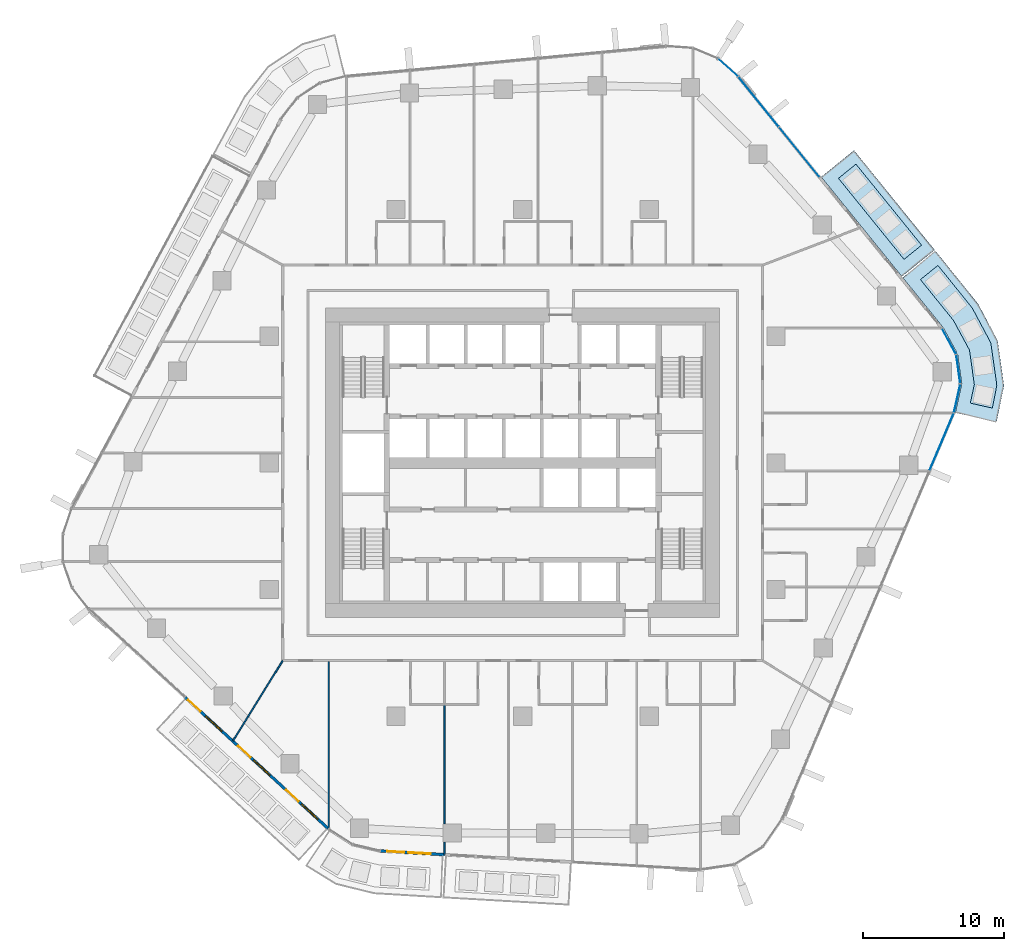
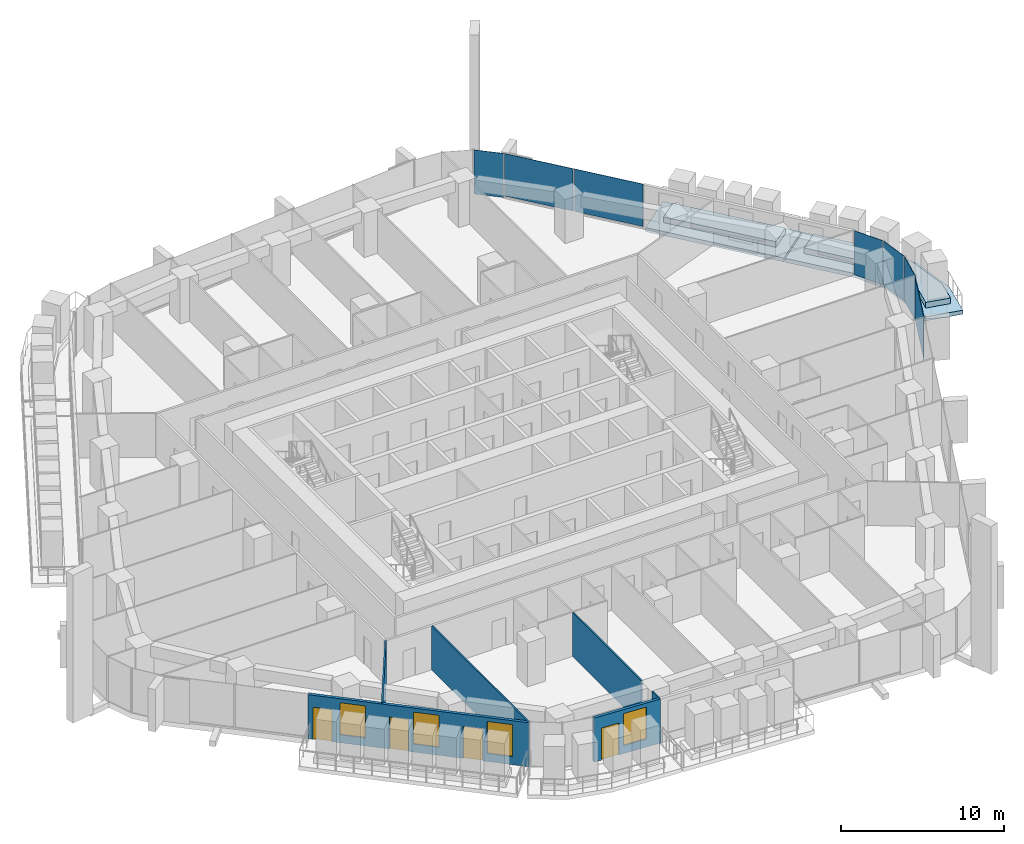
# One storey, part 11 of 24: 7 plates, 6 walls, 4 doors, 4 slabs, 4 windows, 8 openings, 4 elements without a shape of their own.
"""IFC4 building model written with IfcOpenShell, lengths in metres."""

from ifc_helpers import new_model, si_unit, direction, frame, frame_2d, origin, origin_2d, place, context, subcontext, project, spatial, polyline, rectangle, outline, extrude, material, layer, layer_set, type_object, element, fill, aggregate, save


model = new_model("IFC4")

# Units and contexts
model_context = context("Model", 3, precision=1e-05, world=origin(), true_north=direction((0.0, 1.0)))
body_context = subcontext(model_context, "Body", "Model", "MODEL_VIEW")
ifc_project = project(units=[si_unit("LENGTHUNIT", "METRE"), si_unit("AREAUNIT", "SQUARE_METRE"), si_unit("VOLUMEUNIT", "CUBIC_METRE"), si_unit("PLANEANGLEUNIT", "RADIAN"), si_unit("MASSUNIT", "GRAM", prefix="KILO")], contexts=[model_context])

# Site, building, storey
site_placement = place(None, origin())
site = spatial("IfcSite", under=ifc_project, at=site_placement, CompositionType="ELEMENT")
building_placement = place(site_placement, origin())
building = spatial("IfcBuilding", under=site, at=building_placement, Name="Dongbaek Canopy Tower", CompositionType="ELEMENT")
storey_placement = place(building_placement, frame((0.0, 0.0, 117.39990234375)))
storey = spatial("IfcBuildingStorey", under=building, at=storey_placement, Name="L25", CompositionType="ELEMENT", Elevation=117.39990234375)

# Slabs
ifc_material_1 = material(Name="Concrete C40/50", Category="concrete")
ifc_layer_1 = layer(ifc_material_1, 0.300048828125)
ifc_layer_set_1 = layer_set([ifc_layer_1], Name="Balcony slab 300")
slab_type_1 = type_object("IfcSlabType", Name="Balcony slab 300", PredefinedType="FLOOR", material=ifc_layer_set_1)
slab_1_placement = place(storey_placement, frame((0.0, 0.0, -0.2998046875)))
element("IfcSlab", 1, at=slab_1_placement, inside=storey, type_object=slab_type_1, Name="Balcony L25 1", PredefinedType="FLOOR", context=body_context, shape_type="SweptSolid", body=[
    extrude(outline(polyline([(26.938720703125, 13.24365234375), (21.208740234375, 20.31982421875), (23.540283203125, 22.207763671875), (29.27001953125, 15.131591796875), (26.938720703125, 13.24365234375)])), origin(), (0.0, 0.0, 1.0), 0.2998046875),
])
slab_2_placement = place(storey_placement, frame((0.0, 0.0, -0.2998046875)))
element("IfcSlab", 2, at=slab_2_placement, inside=storey, type_object=slab_type_1, Name="Balcony L25 5", PredefinedType="FLOOR", context=body_context, shape_type="SweptSolid", body=[
    extrude(outline(polyline([(30.740234375, 3.56298828125), (31.19873046875, 5.612548828125), (30.898193359375, 7.741455078125), (29.866455078125, 9.6279296875), (27.00146484375, 13.166015625), (29.3330078125, 15.053955078125), (32.3583984375, 11.29833984375), (33.74560546875, 8.686279296875), (34.1962890625, 5.49267578125), (33.667724609375, 2.907958984375), (30.740234375, 3.56298828125)])), origin(), (0.0, 0.0, 1.0), 0.2998046875),
])

# Curtain wall, plates
ifc_material_2 = material(Name="Aluminium 6063-T6 pale anodised", Category="aluminium")
ifc_layer_2 = layer(ifc_material_2, 0.199951171875)
ifc_layer_set_2 = layer_set([ifc_layer_2], Name="CW-1 unitised tower curtain wall")
curtain_wall_type = type_object("IfcCurtainWallType", Name="CW-1 unitised tower curtain wall", PredefinedType="NOTDEFINED", material=ifc_layer_set_2)
curtain_wall_1_placement = place(storey_placement, origin())
curtain_wall_1 = element("IfcCurtainWall", 3, at=curtain_wall_1_placement, inside=storey, type_object=curtain_wall_type, Name="CW-1 curtain wall K0.1", PredefinedType="NOTDEFINED")
ifc_material_3 = material(Name="Clear laminated glass", Category="glass")
ifc_layer_3 = layer(ifc_material_3, 0.028076171875)
ifc_layer_set_3 = layer_set([ifc_layer_3], Name="CW-1 glazed panel 28")
plate_type = type_object("IfcPlateType", Name="CW-1 glazed panel 28", PredefinedType="CURTAIN_PANEL", material=ifc_layer_set_3)
plate_1_placement = place(storey_placement, frame((30.865478515625, 4.58056640625, 0.0), z_axis=(0.0, 0.0, 1.0), x_axis=(0.218338762206, 0.975873037295, 0.0)))
plate_1 = element("IfcPlate", 4, at=plate_1_placement, type_object=plate_type, Name="CW-1 panel K0.1.1.1", PredefinedType="CURTAIN_PANEL", context=body_context, shape_type="SweptSolid", body=[
    extrude(rectangle(XDim=2.038818359375, YDim=0.028076171875, at=origin_2d()), origin(), (0.0, 0.0, 1.0), 3.300048828125),
])
plate_2_placement = place(storey_placement, frame((30.949462890625, 6.6630859375, 0.0), z_axis=(0.0, 0.0, 1.0), x_axis=(-0.139735909712, 0.990188808024, 0.0)))
plate_2 = element("IfcPlate", 5, at=plate_2_placement, type_object=plate_type, Name="CW-1 panel K0.1.2.1", PredefinedType="CURTAIN_PANEL", context=body_context, shape_type="SweptSolid", body=[
    extrude(rectangle(XDim=2.02978515625, YDim=0.028076171875, at=origin_2d()), origin(), (0.0, 0.0, 1.0), 3.300048828125),
])
plate_3_placement = place(storey_placement, frame((30.29248046875, 8.640869140625, 0.0), z_axis=(0.0, 0.0, 1.0), x_axis=(-0.479865359052, 0.87734214374, 0.0)))
plate_3 = element("IfcPlate", 6, at=plate_3_placement, type_object=plate_type, Name="CW-1 panel K0.1.3.1", PredefinedType="CURTAIN_PANEL", context=body_context, shape_type="SweptSolid", body=[
    extrude(rectangle(XDim=2.038818359375, YDim=0.028076171875, at=origin_2d()), origin(), (0.0, 0.0, 1.0), 3.300048828125),
])
aggregate(curtain_wall_1, [plate_1, plate_2, plate_3])

curtain_wall_2_placement = place(storey_placement, origin())
curtain_wall_2 = element("IfcCurtainWall", 7, at=curtain_wall_2_placement, inside=storey, type_object=curtain_wall_type, Name="CW-1 curtain wall F0.1", PredefinedType="NOTDEFINED")
plate_4_placement = place(storey_placement, frame((19.6513671875, 22.084228515625, 0.1201171875), z_axis=(0.0, 0.0, 1.0), x_axis=(-0.629301818982, 0.777161000453, 0.0)))
plate_4 = element("IfcPlate", 8, at=plate_4_placement, type_object=plate_type, Name="CW-1 panel F0.1.1.1", PredefinedType="CURTAIN_PANEL", context=body_context, shape_type="SweptSolid", body=[
    extrude(rectangle(XDim=4.5185546875, YDim=0.028076171875, at=origin_2d()), origin(), (0.0, 0.0, 1.0), 3.179931640625),
])
plate_5_placement = place(storey_placement, frame((16.757568359375, 25.657958984375, 0.1201171875), z_axis=(0.0, 0.0, 1.0), x_axis=(-0.629301818982, 0.777161000453, 0.0)))
plate_5 = element("IfcPlate", 9, at=plate_5_placement, type_object=plate_type, Name="CW-1 panel F0.1.2.1", PredefinedType="CURTAIN_PANEL", context=body_context, shape_type="SweptSolid", body=[
    extrude(rectangle(XDim=4.51025390625, YDim=0.028076171875, at=origin_2d()), origin(), (0.0, 0.0, 1.0), 3.179931640625),
])
aggregate(curtain_wall_2, [plate_4, plate_5])

# Curtain wall, plate
curtain_wall_3_placement = place(storey_placement, origin())
curtain_wall_3 = element("IfcCurtainWall", 10, at=curtain_wall_3_placement, inside=storey, type_object=curtain_wall_type, Name="CW-1 curtain wall K1.1", PredefinedType="NOTDEFINED")
plate_6_placement = place(storey_placement, frame((14.589111328125, 28.085205078125, 0.0), z_axis=(0.0, 0.0, 1.0), x_axis=(-0.747705892766, 0.664030042937, 0.0)))
plate_6 = element("IfcPlate", 11, at=plate_6_placement, type_object=plate_type, Name="CW-1 panel K1.1.1.1", PredefinedType="CURTAIN_PANEL", context=body_context, shape_type="SweptSolid", body=[
    extrude(rectangle(XDim=1.849853515625, YDim=0.028076171875, at=origin_2d()), origin(), (0.0, 0.0, 1.0), 3.300048828125),
])
aggregate(curtain_wall_3, [plate_6])

curtain_wall_4_placement = place(storey_placement, origin())
curtain_wall_4 = element("IfcCurtainWall", 12, at=curtain_wall_4_placement, inside=storey, type_object=curtain_wall_type, Name="CW-1 curtain wall F5.1", PredefinedType="NOTDEFINED")
plate_7_placement = place(storey_placement, frame((29.763671875, 1.488525390625, 0.1201171875), z_axis=(0.0, 0.0, 1.0), x_axis=(0.389662506836, 0.920957724744, 0.0)))
plate_7 = element("IfcPlate", 13, at=plate_7_placement, type_object=plate_type, Name="CW-1 panel F5.1.7.1", PredefinedType="CURTAIN_PANEL", context=body_context, shape_type="SweptSolid", body=[
    extrude(rectangle(XDim=4.381591796875, YDim=0.028076171875, at=origin_2d()), origin(), (0.0, 0.0, 1.0), 3.179931640625),
])
aggregate(curtain_wall_4, [plate_7])

# Slabs
ifc_material_4 = material(Name="Reinforced concrete C40/50 planter box with soil", Category="concrete")
ifc_layer_4 = layer(ifc_material_4, 0.419921875)
ifc_layer_set_4 = layer_set([ifc_layer_4], Name="Terrace planter box 1600 x 420")
slab_type_2 = type_object("IfcSlabType", Name="Terrace planter box 1600 x 420", PredefinedType="USERDEFINED", material=ifc_layer_set_4)
slab_3_placement = place(storey_placement, origin())
element("IfcSlab", 14, at=slab_3_placement, inside=storey, type_object=slab_type_2, Name="Balcony planter L25 1", ObjectType="PLANTER", PredefinedType="USERDEFINED", context=body_context, shape_type="SweptSolid", body=[
    extrude(outline(polyline([(27.095458984375, 14.46435546875), (22.435302734375, 20.21923828125), (23.6787109375, 21.22607421875), (28.3388671875, 15.47119140625), (27.095458984375, 14.46435546875)])), origin(), (0.0, 0.0, 1.0), 0.420166015625),
])
slab_4_placement = place(storey_placement, origin())
element("IfcSlab", 15, at=slab_4_placement, inside=storey, type_object=slab_type_2, Name="Balcony planter L25 5", ObjectType="PLANTER", PredefinedType="USERDEFINED", context=body_context, shape_type="SweptSolid", body=[
    extrude(outline(polyline([(31.80517578125, 4.246826171875), (32.087890625, 5.576904296875), (31.742919921875, 8.021728515625), (30.605712890625, 10.12353515625), (28.259521484375, 13.026611328125), (29.5029296875, 14.033447265625), (31.934814453125, 11.014404296875), (33.261474609375, 8.525634765625), (33.686767578125, 5.512939453125), (33.36669921875, 3.8974609375), (31.80517578125, 4.246826171875)])), origin(), (0.0, 0.0, 1.0), 0.420166015625),
])

# Walls
ifc_material_5 = material(Name="Gypsum board partition, steel stud, 2 x 12.5 mm board", Category="steel")
ifc_layer_5 = layer(ifc_material_5, 0.10009765625)
ifc_layer_set_5 = layer_set([ifc_layer_5], Name="Partition 100 gypsum board")
wall_type_1 = type_object("IfcWallType", Name="Partition 100 gypsum board", PredefinedType="PARTITIONING", material=ifc_layer_set_5)
wall_1_placement = place(storey_placement, frame((-20.585205078125, -19.74658203125, 0.0), z_axis=(0.0, 0.0, 1.0), x_axis=(0.527253174698, 0.849708238027, 0.0)))
element("IfcWall", 16, at=wall_1_placement, inside=storey, type_object=wall_type_1, Name="Partition", PredefinedType="PARTITIONING", context=body_context, shape_type="SweptSolid", body=[
    extrude(rectangle(XDim=6.704345703125, YDim=0.10009765625, at=frame_2d((3.35205078125, 0.0))), origin(), (0.0, 0.0, 1.0), 3.300048828125),
])
wall_2_placement = place(storey_placement, frame((-5.56689453125, -27.810546875, 0.0), z_axis=(0.0, 0.0, 1.0), x_axis=(0.0, 1.0, 0.0)))
element("IfcWall", 17, at=wall_2_placement, inside=storey, type_object=wall_type_1, Name="Partition", PredefinedType="PARTITIONING", context=body_context, shape_type="SweptSolid", body=[
    extrude(rectangle(XDim=0.87060546875, YDim=0.10009765625, at=frame_2d((0.435302734375, 0.0))), origin(), (0.0, 0.0, 1.0), 3.300048828125),
])
wall_3_placement = place(storey_placement, frame((-5.56689453125, -25.639892578125, 0.0), z_axis=(0.0, 0.0, 1.0), x_axis=(0.0, 1.0, 0.0)))
element("IfcWall", 18, at=wall_3_placement, inside=storey, type_object=wall_type_1, Name="Partition", PredefinedType="PARTITIONING", context=body_context, shape_type="SweptSolid", body=[
    extrude(rectangle(XDim=8.43994140625, YDim=0.10009765625, at=frame_2d((4.219970703125, 0.0))), origin(), (0.0, 0.0, 1.0), 3.300048828125),
])
wall_4_placement = place(storey_placement, frame((-13.777099609375, -25.99169921875, 0.0), z_axis=(0.0, 0.0, 1.0), x_axis=(0.0, 1.0, 0.0)))
element("IfcWall", 19, at=wall_4_placement, inside=storey, type_object=wall_type_1, Name="Partition", PredefinedType="PARTITIONING", context=body_context, shape_type="SweptSolid", body=[
    extrude(rectangle(XDim=11.86669921875, YDim=0.10009765625, at=frame_2d((5.933349609375, 0.0))), origin(), (0.0, 0.0, 1.0), 3.300048828125),
])

# Wall, openings, doors, windows
ifc_material_6 = material(Name="Aluminium window wall", Category="aluminium")
ifc_layer_6 = layer(ifc_material_6, 0.199951171875)
ifc_layer_set_6 = layer_set([ifc_layer_6], Name="Window wall 200")
wall_type_2 = type_object("IfcWallType", Name="Window wall 200", PredefinedType="SOLIDWALL", material=ifc_layer_set_6)
wall_5_placement = place(storey_placement, frame((-24.005615234375, -16.63623046875, 0.0), z_axis=(0.0, 0.0, 1.0), x_axis=(0.736923378069, -0.675976282761, 0.0)))
wall_5 = element("IfcWall", 20, at=wall_5_placement, inside=storey, type_object=wall_type_2, Name="Window wall L25 3", PredefinedType="SOLIDWALL", context=body_context, shape_type="SweptSolid", body=[
    extrude(rectangle(XDim=13.880126953125, YDim=0.199951171875, at=frame_2d((6.93994140625, 0.0))), origin(), (0.0, 0.0, 1.0), 3.300048828125),
])
opening_1_placement = place(wall_5_placement, frame((2.0, 0.0, 0.60009765625)))
opening_1 = element("IfcOpeningElement", 21, at=opening_1_placement, cuts=wall_5, Name="Opening W1", PredefinedType="OPENING", context=body_context, shape_type="SweptSolid", body=[
    extrude(rectangle(XDim=1.60009765625, YDim=2.39990234375, at=frame_2d((0.800048828125, 1.199951171875))), frame((0.0, 0.10986328125, 0.0), z_axis=(0.0, -1.0, 0.0), x_axis=(1.0, 0.0, 0.0)), (0.0, 0.0, 1.0), 0.219970703125),
])
opening_2_placement = place(wall_5_placement, frame((0.300048828125, 0.0, 0.0)))
opening_2 = element("IfcOpeningElement", 22, at=opening_2_placement, cuts=wall_5, Name="Opening L25-B09", PredefinedType="OPENING", context=body_context, shape_type="SweptSolid", body=[
    extrude(rectangle(XDim=1.199951171875, YDim=2.39990234375, at=frame_2d((0.60009765625, 1.199951171875))), frame((0.0, 0.10986328125, 0.0), z_axis=(0.0, -1.0, 0.0), x_axis=(1.0, 0.0, 0.0)), (0.0, 0.0, 1.0), 0.219970703125),
])
opening_3_placement = place(wall_5_placement, frame((6.626708984375, 0.0, 0.60009765625)))
opening_3 = element("IfcOpeningElement", 23, at=opening_3_placement, cuts=wall_5, Name="Opening W1", PredefinedType="OPENING", context=body_context, shape_type="SweptSolid", body=[
    extrude(rectangle(XDim=1.60009765625, YDim=2.39990234375, at=frame_2d((0.800048828125, 1.199951171875))), frame((0.0, 0.10986328125, 0.0), z_axis=(0.0, -1.0, 0.0), x_axis=(1.0, 0.0, 0.0)), (0.0, 0.0, 1.0), 0.219970703125),
])
opening_4_placement = place(wall_5_placement, frame((5.126708984375, 0.0, 0.0)))
opening_4 = element("IfcOpeningElement", 24, at=opening_4_placement, cuts=wall_5, Name="Opening L25-B10", PredefinedType="OPENING", context=body_context, shape_type="SweptSolid", body=[
    extrude(rectangle(XDim=1.199951171875, YDim=2.39990234375, at=frame_2d((0.60009765625, 1.199951171875))), frame((0.0, 0.10986328125, 0.0), z_axis=(0.0, -1.0, 0.0), x_axis=(1.0, 0.0, 0.0)), (0.0, 0.0, 1.0), 0.219970703125),
])
opening_5_placement = place(wall_5_placement, frame((11.25341796875, 0.0, 0.60009765625)))
opening_5 = element("IfcOpeningElement", 25, at=opening_5_placement, cuts=wall_5, Name="Opening W1", PredefinedType="OPENING", context=body_context, shape_type="SweptSolid", body=[
    extrude(rectangle(XDim=1.60009765625, YDim=2.39990234375, at=frame_2d((0.800048828125, 1.199951171875))), frame((0.0, 0.10986328125, 0.0), z_axis=(0.0, -1.0, 0.0), x_axis=(1.0, 0.0, 0.0)), (0.0, 0.0, 1.0), 0.219970703125),
])
opening_6_placement = place(wall_5_placement, frame((9.75341796875, 0.0, 0.0)))
opening_6 = element("IfcOpeningElement", 26, at=opening_6_placement, cuts=wall_5, Name="Opening L25-B11", PredefinedType="OPENING", context=body_context, shape_type="SweptSolid", body=[
    extrude(rectangle(XDim=1.199951171875, YDim=2.39990234375, at=frame_2d((0.60009765625, 1.199951171875))), frame((0.0, 0.10986328125, 0.0), z_axis=(0.0, -1.0, 0.0), x_axis=(1.0, 0.0, 0.0)), (0.0, 0.0, 1.0), 0.219970703125),
])
ifc_material_7 = material(Name="Clear glazing in aluminium frame", Category="aluminium")
door_type = type_object("IfcDoorType", Name="Balcony door BD1 1200 x 2400", OperationType="SLIDING_TO_LEFT", PredefinedType="DOOR", material=ifc_material_7)
door_1_placement = place(opening_2_placement, origin())
door_1 = element("IfcDoor", 27, at=door_1_placement, inside=storey, type_object=door_type, Name="Balcony door L25-B09", OperationType="SLIDING_TO_LEFT", OverallHeight=2.39990234375, OverallWidth=1.199951171875, PredefinedType="DOOR", context=body_context, shape_type="SweptSolid", body=[
    extrude(rectangle(XDim=1.199951171875, YDim=2.39990234375, at=frame_2d((0.60009765625, 1.199951171875))), frame((0.0, 0.02490234375, 0.0), z_axis=(0.0, -1.0, 0.0), x_axis=(1.0, 0.0, 0.0)), (0.0, 0.0, 1.0), 0.050048828125),
])
fill(opening_2, door_1)
door_2_placement = place(opening_4_placement, origin())
door_2 = element("IfcDoor", 28, at=door_2_placement, inside=storey, type_object=door_type, Name="Balcony door L25-B10", OperationType="SLIDING_TO_LEFT", OverallHeight=2.39990234375, OverallWidth=1.199951171875, PredefinedType="DOOR", context=body_context, shape_type="SweptSolid", body=[
    extrude(rectangle(XDim=1.199951171875, YDim=2.39990234375, at=frame_2d((0.60009765625, 1.199951171875))), frame((0.0, 0.02490234375, 0.0), z_axis=(0.0, -1.0, 0.0), x_axis=(1.0, 0.0, 0.0)), (0.0, 0.0, 1.0), 0.050048828125),
])
fill(opening_4, door_2)
door_3_placement = place(opening_6_placement, origin())
door_3 = element("IfcDoor", 29, at=door_3_placement, inside=storey, type_object=door_type, Name="Balcony door L25-B11", OperationType="SLIDING_TO_LEFT", OverallHeight=2.39990234375, OverallWidth=1.199951171875, PredefinedType="DOOR", context=body_context, shape_type="SweptSolid", body=[
    extrude(rectangle(XDim=1.199951171875, YDim=2.39990234375, at=frame_2d((0.60009765625, 1.199951171875))), frame((0.0, 0.02490234375, 0.0), z_axis=(0.0, -1.0, 0.0), x_axis=(1.0, 0.0, 0.0)), (0.0, 0.0, 1.0), 0.050048828125),
])
fill(opening_6, door_3)
ifc_material_8 = material(Name="Clear glazing in aluminium frame", Category="aluminium")
window_type = type_object("IfcWindowType", Name="Window W1 1600 x 2400", PartitioningType="SINGLE_PANEL", PredefinedType="WINDOW", material=ifc_material_8)
window_1_placement = place(opening_1_placement, origin())
window_1 = element("IfcWindow", 30, at=window_1_placement, inside=storey, type_object=window_type, Name="Window L25 3.1", OverallHeight=2.39990234375, OverallWidth=1.60009765625, PartitioningType="SINGLE_PANEL", PredefinedType="WINDOW", context=body_context, shape_type="SweptSolid", body=[
    extrude(rectangle(XDim=1.60009765625, YDim=2.39990234375, at=frame_2d((0.800048828125, 1.199951171875))), frame((0.0, 0.030029296875, 0.0), z_axis=(0.0, -1.0, 0.0), x_axis=(1.0, 0.0, 0.0)), (0.0, 0.0, 1.0), 0.06005859375),
])
fill(opening_1, window_1)
window_2_placement = place(opening_3_placement, origin())
window_2 = element("IfcWindow", 31, at=window_2_placement, inside=storey, type_object=window_type, Name="Window L25 3.2", OverallHeight=2.39990234375, OverallWidth=1.60009765625, PartitioningType="SINGLE_PANEL", PredefinedType="WINDOW", context=body_context, shape_type="SweptSolid", body=[
    extrude(rectangle(XDim=1.60009765625, YDim=2.39990234375, at=frame_2d((0.800048828125, 1.199951171875))), frame((0.0, 0.030029296875, 0.0), z_axis=(0.0, -1.0, 0.0), x_axis=(1.0, 0.0, 0.0)), (0.0, 0.0, 1.0), 0.06005859375),
])
fill(opening_3, window_2)
window_3_placement = place(opening_5_placement, origin())
window_3 = element("IfcWindow", 32, at=window_3_placement, inside=storey, type_object=window_type, Name="Window L25 3.3", OverallHeight=2.39990234375, OverallWidth=1.60009765625, PartitioningType="SINGLE_PANEL", PredefinedType="WINDOW", context=body_context, shape_type="SweptSolid", body=[
    extrude(rectangle(XDim=1.60009765625, YDim=2.39990234375, at=frame_2d((0.800048828125, 1.199951171875))), frame((0.0, 0.030029296875, 0.0), z_axis=(0.0, -1.0, 0.0), x_axis=(1.0, 0.0, 0.0)), (0.0, 0.0, 1.0), 0.06005859375),
])
fill(opening_5, window_3)

# Wall, openings, door, window
wall_6_placement = place(storey_placement, frame((-10.11474609375, -27.567626953125, 0.0), z_axis=(0.0, 0.0, 1.0), x_axis=(0.998332643992, -0.057722889224, 0.0)))
wall_6 = element("IfcWall", 33, at=wall_6_placement, inside=storey, type_object=wall_type_2, Name="Window wall L25 7", PredefinedType="SOLIDWALL", context=body_context, shape_type="SweptSolid", body=[
    extrude(rectangle(XDim=4.55517578125, YDim=0.199951171875, at=frame_2d((2.277587890625, 0.0))), origin(), (0.0, 0.0, 1.0), 3.300048828125),
])
opening_7_placement = place(wall_6_placement, frame((2.0, 0.0, 0.60009765625)))
opening_7 = element("IfcOpeningElement", 34, at=opening_7_placement, cuts=wall_6, Name="Opening W1", PredefinedType="OPENING", context=body_context, shape_type="SweptSolid", body=[
    extrude(rectangle(XDim=1.60009765625, YDim=2.39990234375, at=frame_2d((0.800048828125, 1.199951171875))), frame((0.0, 0.10986328125, 0.0), z_axis=(0.0, -1.0, 0.0), x_axis=(1.0, 0.0, 0.0)), (0.0, 0.0, 1.0), 0.219970703125),
])
opening_8_placement = place(wall_6_placement, frame((0.5, 0.0, 0.0)))
opening_8 = element("IfcOpeningElement", 35, at=opening_8_placement, cuts=wall_6, Name="Opening L25-B14", PredefinedType="OPENING", context=body_context, shape_type="SweptSolid", body=[
    extrude(rectangle(XDim=1.199951171875, YDim=2.39990234375, at=frame_2d((0.60009765625, 1.199951171875))), frame((0.0, 0.10986328125, 0.0), z_axis=(0.0, -1.0, 0.0), x_axis=(1.0, 0.0, 0.0)), (0.0, 0.0, 1.0), 0.219970703125),
])
door_4_placement = place(opening_8_placement, origin())
door_4 = element("IfcDoor", 36, at=door_4_placement, inside=storey, type_object=door_type, Name="Balcony door L25-B14", OperationType="SLIDING_TO_LEFT", OverallHeight=2.39990234375, OverallWidth=1.199951171875, PredefinedType="DOOR", context=body_context, shape_type="SweptSolid", body=[
    extrude(rectangle(XDim=1.199951171875, YDim=2.39990234375, at=frame_2d((0.60009765625, 1.199951171875))), frame((0.0, 0.02490234375, 0.0), z_axis=(0.0, -1.0, 0.0), x_axis=(1.0, 0.0, 0.0)), (0.0, 0.0, 1.0), 0.050048828125),
])
fill(opening_8, door_4)
window_4_placement = place(opening_7_placement, origin())
window_4 = element("IfcWindow", 37, at=window_4_placement, inside=storey, type_object=window_type, Name="Window L25 7.1", OverallHeight=2.39990234375, OverallWidth=1.60009765625, PartitioningType="SINGLE_PANEL", PredefinedType="WINDOW", context=body_context, shape_type="SweptSolid", body=[
    extrude(rectangle(XDim=1.60009765625, YDim=2.39990234375, at=frame_2d((0.800048828125, 1.199951171875))), frame((0.0, 0.030029296875, 0.0), z_axis=(0.0, -1.0, 0.0), x_axis=(1.0, 0.0, 0.0)), (0.0, 0.0, 1.0), 0.06005859375),
])
fill(opening_7, window_4)

save(model, "model.ifc")
